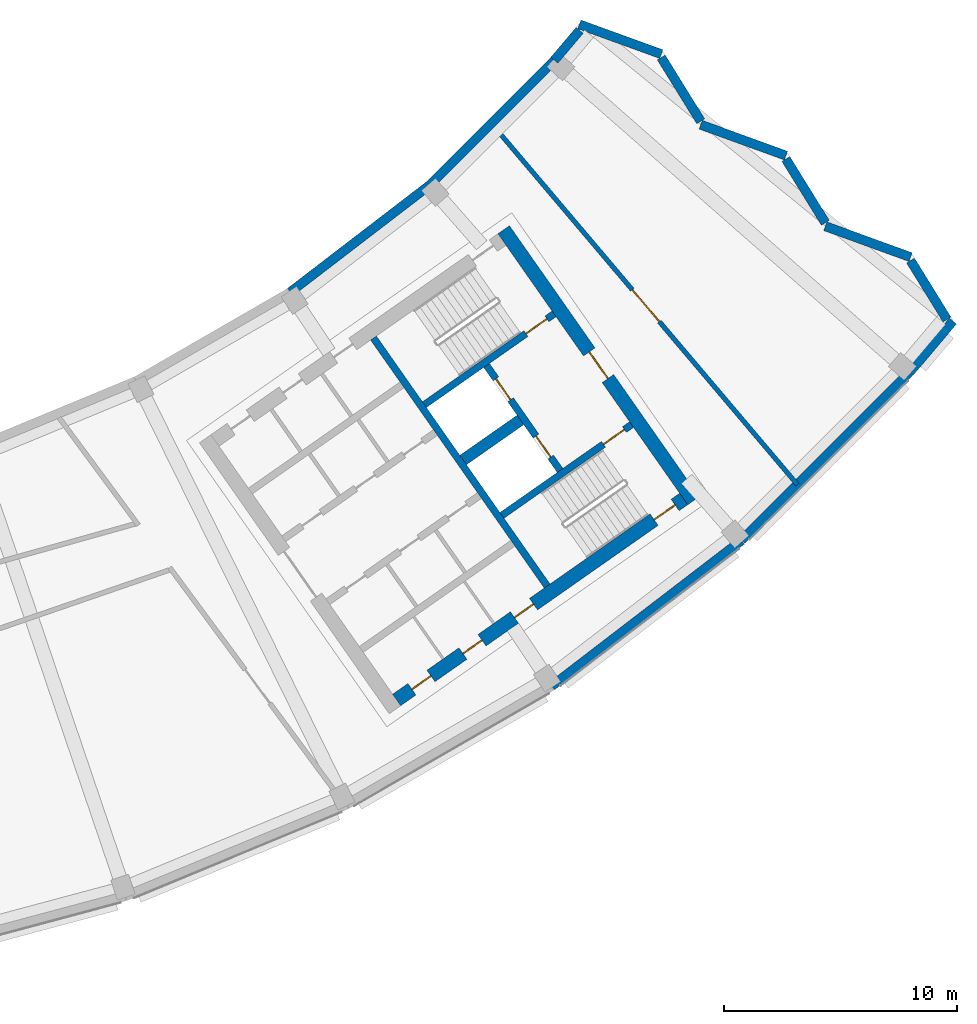
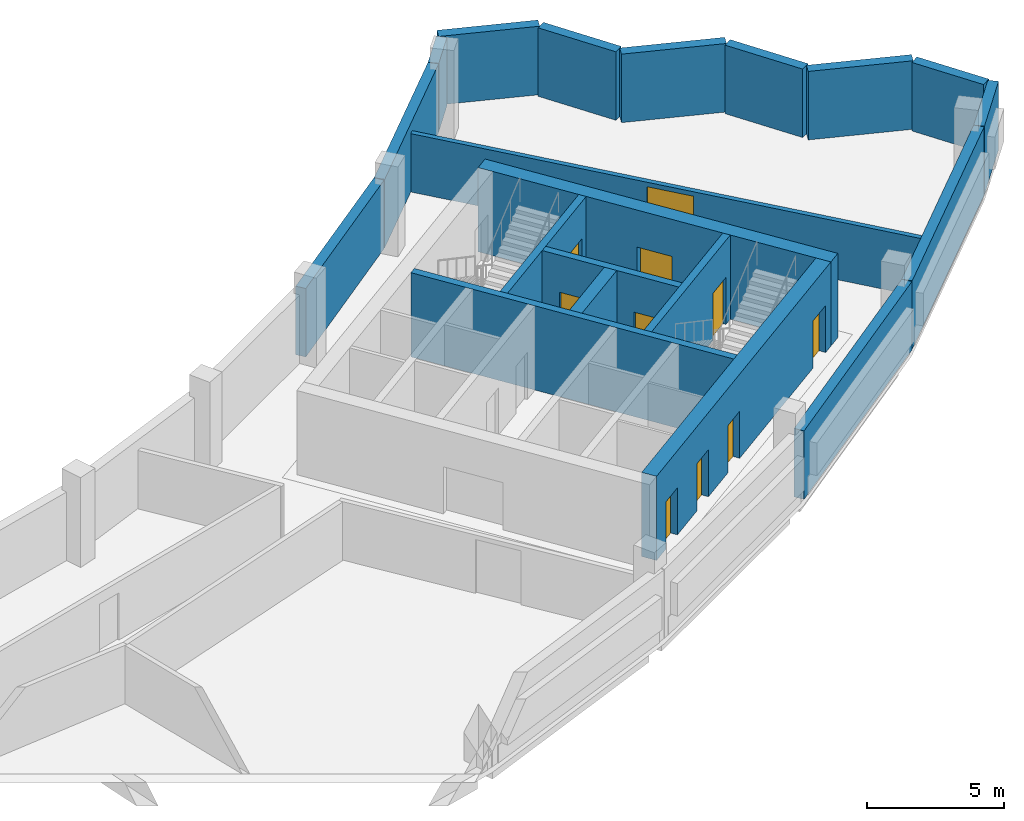
# One storey, part 6 of 11: 20 walls, 10 doors, 10 openings.
"""IFC4 building model written with IfcOpenShell, lengths in metres."""

from ifc_helpers import new_model, si_unit, direction, frame, frame_2d, origin, place, context, subcontext, project, spatial, rectangle, extrude, material, layer, layer_set, type_object, element, fill, save


model = new_model("IFC4")

# Units and contexts
model_context = context("Model", 3, precision=1e-05, world=origin(), true_north=direction((0.0, 1.0)))
body_context = subcontext(model_context, "Body", "Model", "MODEL_VIEW")
ifc_project = project(units=[si_unit("LENGTHUNIT", "METRE"), si_unit("AREAUNIT", "SQUARE_METRE"), si_unit("VOLUMEUNIT", "CUBIC_METRE"), si_unit("PLANEANGLEUNIT", "RADIAN"), si_unit("MASSUNIT", "GRAM", prefix="KILO")], contexts=[model_context])

# Site, building, storey
site_placement = place(None, origin())
site = spatial("IfcSite", under=ifc_project, at=site_placement, CompositionType="ELEMENT")
building_placement = place(site_placement, origin())
building = spatial("IfcBuilding", under=site, at=building_placement, Name="Qamariyya Broadcast Tower", CompositionType="ELEMENT")
storey_placement = place(building_placement, frame((0.0, 0.0, 298.699951171875)))
storey = spatial("IfcBuildingStorey", under=building, at=storey_placement, Name="L72", CompositionType="ELEMENT", Elevation=298.699951171875)

# Wall, opening, door
ifc_material_1 = material(Name="Concrete C60/75", Category="concrete")
ifc_layer_1 = layer(ifc_material_1, 0.60009765625)
ifc_layer_set_1 = layer_set([ifc_layer_1], Name="Core wall 600 mm Concrete C60/75")
wall_type_1 = type_object("IfcWallType", Name="Core wall 600 mm Concrete C60/75", PredefinedType="SHEAR", material=ifc_layer_set_1)
wall_1_placement = place(storey_placement, frame((49.4833984375, -57.031494140625, 0.0), z_axis=(0.0, 0.0, 1.0), x_axis=(-0.573560421458, 0.819163257805, 0.0)))
wall_1 = element("IfcWall", 1, at=wall_1_placement, inside=storey, type_object=wall_type_1, Name="k-E-L72-WH", PredefinedType="SHEAR", context=body_context, shape_type="SweptSolid", body=[
    extrude(rectangle(XDim=14.199951171875, YDim=0.60009765625, at=frame_2d((7.10009765625, 0.0))), origin(), (0.0, 0.0, 1.0), 3.75),
])
opening_1_placement = place(wall_1_placement, frame((6.39990234375, 0.0, 0.0)))
opening_1 = element("IfcOpeningElement", 2, at=opening_1_placement, cuts=wall_1, Name="Opening KD2-E1", PredefinedType="OPENING", context=body_context, shape_type="SweptSolid", body=[
    extrude(rectangle(XDim=1.39990234375, YDim=2.10009765625, at=frame_2d((0.699951171875, 1.050048828125))), frame((0.0, 0.31005859375, 0.0), z_axis=(0.0, -1.0, 0.0), x_axis=(1.0, 0.0, 0.0)), (0.0, 0.0, 1.0), 0.6201171875),
])
ifc_material_2 = material(Name="Steel fire-resisting door leaf", Category="steel")
door_type_1 = type_object("IfcDoorType", Name="Fire-fighting lobby door KD2", OperationType="DOUBLE_DOOR_SINGLE_SWING", PredefinedType="DOOR", material=ifc_material_2)
door_1_placement = place(opening_1_placement, origin())
door_1 = element("IfcDoor", 3, at=door_1_placement, inside=storey, type_object=door_type_1, Name="k-E-L72-WH-D16", OperationType="DOUBLE_DOOR_SINGLE_SWING", OverallHeight=2.10009765625, OverallWidth=1.39990234375, PredefinedType="DOOR", context=body_context, shape_type="SweptSolid", body=[
    extrude(rectangle(XDim=1.39990234375, YDim=2.10009765625, at=frame_2d((0.699951171875, 1.050048828125))), frame((0.0, 0.02490234375, 0.0), z_axis=(0.0, -1.0, 0.0), x_axis=(1.0, 0.0, 0.0)), (0.0, 0.0, 1.0), 0.050048828125),
])
fill(opening_1, door_1)

# Wall, openings, doors
wall_2_placement = place(storey_placement, frame((36.7412109375, -65.58740234375, 0.0), z_axis=(0.0, 0.0, 1.0), x_axis=(0.819153391756, 0.573574511963, 0.0)))
wall_2 = element("IfcWall", 4, at=wall_2_placement, inside=storey, type_object=wall_type_1, Name="k-E-L72-WO", PredefinedType="SHEAR", context=body_context, shape_type="SweptSolid", body=[
    extrude(rectangle(XDim=15.04541015625, YDim=0.60009765625, at=frame_2d((7.522705078125, 0.0))), origin(), (0.0, 0.0, 1.0), 3.75),
])
opening_2_placement = place(wall_2_placement, frame((0.800048828125, 0.0, 0.0)))
opening_2 = element("IfcOpeningElement", 5, at=opening_2_placement, cuts=wall_2, Name="Opening KD4-E10", PredefinedType="OPENING", context=body_context, shape_type="SweptSolid", body=[
    extrude(rectangle(XDim=1.0, YDim=2.10009765625, at=frame_2d((0.5, 1.050048828125))), frame((0.0, 0.31005859375, 0.0), z_axis=(0.0, -1.0, 0.0), x_axis=(1.0, 0.0, 0.0)), (0.0, 0.0, 1.0), 0.6201171875),
])
opening_3_placement = place(wall_2_placement, frame((3.47509765625, 0.0, 0.0)))
opening_3 = element("IfcOpeningElement", 6, at=opening_3_placement, cuts=wall_2, Name="Opening KD4-E11", PredefinedType="OPENING", context=body_context, shape_type="SweptSolid", body=[
    extrude(rectangle(XDim=1.0, YDim=2.10009765625, at=frame_2d((0.5, 1.050048828125))), frame((0.0, 0.31005859375, 0.0), z_axis=(0.0, -1.0, 0.0), x_axis=(1.0, 0.0, 0.0)), (0.0, 0.0, 1.0), 0.6201171875),
])
opening_4_placement = place(wall_2_placement, frame((6.175048828125, 0.0, 0.0)))
opening_4 = element("IfcOpeningElement", 7, at=opening_4_placement, cuts=wall_2, Name="Opening KD4-E12", PredefinedType="OPENING", context=body_context, shape_type="SweptSolid", body=[
    extrude(rectangle(XDim=1.0, YDim=2.10009765625, at=frame_2d((0.5, 1.050048828125))), frame((0.0, 0.31005859375, 0.0), z_axis=(0.0, -1.0, 0.0), x_axis=(1.0, 0.0, 0.0)), (0.0, 0.0, 1.0), 0.6201171875),
])
opening_5_placement = place(wall_2_placement, frame((13.495361328125, 0.0, 0.0)))
opening_5 = element("IfcOpeningElement", 8, at=opening_5_placement, cuts=wall_2, Name="Opening KD1-E3", PredefinedType="OPENING", context=body_context, shape_type="SweptSolid", body=[
    extrude(rectangle(XDim=1.10009765625, YDim=2.10009765625, at=frame_2d((0.550048828125, 1.050048828125))), frame((0.0, 0.31005859375, 0.0), z_axis=(0.0, -1.0, 0.0), x_axis=(1.0, 0.0, 0.0)), (0.0, 0.0, 1.0), 0.6201171875),
])
door_type_2 = type_object("IfcDoorType", Name="Riser and plant door KD4", OperationType="SINGLE_SWING_LEFT", PredefinedType="DOOR", material=ifc_material_2)
door_2_placement = place(opening_2_placement, origin())
door_2 = element("IfcDoor", 9, at=door_2_placement, inside=storey, type_object=door_type_2, Name="k-E-L72-WO-D11", OperationType="SINGLE_SWING_LEFT", OverallHeight=2.10009765625, OverallWidth=1.0, PredefinedType="DOOR", context=body_context, shape_type="SweptSolid", body=[
    extrude(rectangle(XDim=1.0, YDim=2.10009765625, at=frame_2d((0.5, 1.050048828125))), frame((0.0, 0.02490234375, 0.0), z_axis=(0.0, -1.0, 0.0), x_axis=(1.0, 0.0, 0.0)), (0.0, 0.0, 1.0), 0.050048828125),
])
fill(opening_2, door_2)
door_3_placement = place(opening_3_placement, origin())
door_3 = element("IfcDoor", 10, at=door_3_placement, inside=storey, type_object=door_type_2, Name="k-E-L72-WO-D12", OperationType="SINGLE_SWING_RIGHT", OverallHeight=2.10009765625, OverallWidth=1.0, PredefinedType="DOOR", context=body_context, shape_type="SweptSolid", body=[
    extrude(rectangle(XDim=1.0, YDim=2.10009765625, at=frame_2d((0.5, 1.050048828125))), frame((0.0, 0.02490234375, 0.0), z_axis=(0.0, -1.0, 0.0), x_axis=(1.0, 0.0, 0.0)), (0.0, 0.0, 1.0), 0.050048828125),
])
fill(opening_3, door_3)
door_4_placement = place(opening_4_placement, origin())
door_4 = element("IfcDoor", 11, at=door_4_placement, inside=storey, type_object=door_type_2, Name="k-E-L72-WO-D13", OperationType="SINGLE_SWING_LEFT", OverallHeight=2.10009765625, OverallWidth=1.0, PredefinedType="DOOR", context=body_context, shape_type="SweptSolid", body=[
    extrude(rectangle(XDim=1.0, YDim=2.10009765625, at=frame_2d((0.5, 1.050048828125))), frame((0.0, 0.02490234375, 0.0), z_axis=(0.0, -1.0, 0.0), x_axis=(1.0, 0.0, 0.0)), (0.0, 0.0, 1.0), 0.050048828125),
])
fill(opening_4, door_4)
door_type_3 = type_object("IfcDoorType", Name="Stair door KD1", OperationType="SINGLE_SWING_LEFT", PredefinedType="DOOR", material=ifc_material_2)
door_5_placement = place(opening_5_placement, origin())
door_5 = element("IfcDoor", 12, at=door_5_placement, inside=storey, type_object=door_type_3, Name="k-E-L72-WO-D19", OperationType="SINGLE_SWING_LEFT", OverallHeight=2.10009765625, OverallWidth=1.10009765625, PredefinedType="DOOR", context=body_context, shape_type="SweptSolid", body=[
    extrude(rectangle(XDim=1.10009765625, YDim=2.10009765625, at=frame_2d((0.550048828125, 1.050048828125))), frame((0.0, 0.02490234375, 0.0), z_axis=(0.0, -1.0, 0.0), x_axis=(1.0, 0.0, 0.0)), (0.0, 0.0, 1.0), 0.050048828125),
])
fill(opening_5, door_5)

# Walls
ifc_layer_2 = layer(ifc_material_1, 0.5)
ifc_layer_set_2 = layer_set([ifc_layer_2], Name="Fire-fighting lobby divider wall 500 mm Concrete C60/75")
wall_type_2 = type_object("IfcWallType", Name="Fire-fighting lobby divider wall 500 mm Concrete C60/75", PredefinedType="SOLIDWALL", material=ifc_layer_set_2)
wall_3_placement = place(storey_placement, frame((39.59912109375, -55.28515625, 0.0), z_axis=(0.0, 0.0, 1.0), x_axis=(0.819136323161, 0.573598887793, 0.0)))
element("IfcWall", 13, at=wall_3_placement, inside=storey, type_object=wall_type_2, Name="k-E-L72-FD", PredefinedType="SOLIDWALL", context=body_context, shape_type="SweptSolid", body=[
    extrude(rectangle(XDim=2.999755859375, YDim=0.5, at=frame_2d((1.5, 0.0))), origin(), (0.0, 0.0, 1.0), 3.75),
])
ifc_layer_3 = layer(ifc_material_1, 0.300048828125)
ifc_layer_set_3 = layer_set([ifc_layer_3], Name="Lift shaft wall 300 mm Concrete C60/75")
wall_type_3 = type_object("IfcWallType", Name="Lift shaft wall 300 mm Concrete C60/75", PredefinedType="SOLIDWALL", material=ifc_layer_set_3)
wall_4_placement = place(storey_placement, frame((43.204345703125, -60.69580078125, 0.0), z_axis=(0.0, 0.0, 1.0), x_axis=(-0.573571992966, 0.819155155563, 0.0)))
element("IfcWall", 14, at=wall_4_placement, inside=storey, type_object=wall_type_3, Name="k-E-L72-WL", PredefinedType="SOLIDWALL", context=body_context, shape_type="SweptSolid", body=[
    extrude(rectangle(XDim=13.000244140625, YDim=0.300048828125, at=frame_2d((6.5, 0.0))), origin(), (0.0, 0.0, 1.0), 3.75),
])

# Wall, opening, door
wall_5_placement = place(storey_placement, frame((37.935546875, -52.90966796875, 0.0), z_axis=(0.0, 0.0, 1.0), x_axis=(0.819147518138, 0.57358290031, 0.0)))
wall_5 = element("IfcWall", 15, at=wall_5_placement, inside=storey, type_object=wall_type_3, Name="k-E-L72-NW", PredefinedType="SOLIDWALL", context=body_context, shape_type="SweptSolid", body=[
    extrude(rectangle(XDim=6.79541015625, YDim=0.300048828125, at=frame_2d((3.397705078125, 0.0))), origin(), (0.0, 0.0, 1.0), 3.75),
])
opening_6_placement = place(wall_5_placement, frame((5.3203125, 0.0, 0.0)))
opening_6 = element("IfcOpeningElement", 16, at=opening_6_placement, cuts=wall_5, Name="Opening KD1-E2", PredefinedType="OPENING", context=body_context, shape_type="SweptSolid", body=[
    extrude(rectangle(XDim=1.10009765625, YDim=2.10009765625, at=frame_2d((0.550048828125, 1.050048828125))), frame((0.0, 0.159912109375, 0.0), z_axis=(0.0, -1.0, 0.0), x_axis=(1.0, 0.0, 0.0)), (0.0, 0.0, 1.0), 0.320068359375),
])
door_6_placement = place(opening_6_placement, origin())
door_6 = element("IfcDoor", 17, at=door_6_placement, inside=storey, type_object=door_type_3, Name="k-E-L72-NW-D18", OperationType="SINGLE_SWING_RIGHT", OverallHeight=2.10009765625, OverallWidth=1.10009765625, PredefinedType="DOOR", context=body_context, shape_type="SweptSolid", body=[
    extrude(rectangle(XDim=1.10009765625, YDim=2.10009765625, at=frame_2d((0.550048828125, 1.050048828125))), frame((0.0, 0.02490234375, 0.0), z_axis=(0.0, -1.0, 0.0), x_axis=(1.0, 0.0, 0.0)), (0.0, 0.0, 1.0), 0.050048828125),
])
fill(opening_6, door_6)

wall_6_placement = place(storey_placement, frame((41.262451171875, -57.66064453125, 0.0), z_axis=(0.0, 0.0, 1.0), x_axis=(0.819164398642, 0.573558792102, 0.0)))
wall_6 = element("IfcWall", 18, at=wall_6_placement, inside=storey, type_object=wall_type_3, Name="k-E-L72-SW", PredefinedType="SOLIDWALL", context=body_context, shape_type="SweptSolid", body=[
    extrude(rectangle(XDim=6.795166015625, YDim=0.300048828125, at=frame_2d((3.3974609375, 0.0))), origin(), (0.0, 0.0, 1.0), 3.75),
])
opening_7_placement = place(wall_6_placement, frame((5.3203125, 0.0, 0.0)))
opening_7 = element("IfcOpeningElement", 19, at=opening_7_placement, cuts=wall_6, Name="Opening KD1-E4", PredefinedType="OPENING", context=body_context, shape_type="SweptSolid", body=[
    extrude(rectangle(XDim=1.10009765625, YDim=2.10009765625, at=frame_2d((0.550048828125, 1.050048828125))), frame((0.0, 0.159912109375, 0.0), z_axis=(0.0, -1.0, 0.0), x_axis=(1.0, 0.0, 0.0)), (0.0, 0.0, 1.0), 0.320068359375),
])
door_7_placement = place(opening_7_placement, origin())
door_7 = element("IfcDoor", 20, at=door_7_placement, inside=storey, type_object=door_type_3, Name="k-E-L72-SW-D20", OperationType="SINGLE_SWING_RIGHT", OverallHeight=2.10009765625, OverallWidth=1.10009765625, PredefinedType="DOOR", context=body_context, shape_type="SweptSolid", body=[
    extrude(rectangle(XDim=1.10009765625, YDim=2.10009765625, at=frame_2d((0.550048828125, 1.050048828125))), frame((0.0, 0.02490234375, 0.0), z_axis=(0.0, -1.0, 0.0), x_axis=(1.0, 0.0, 0.0)), (0.0, 0.0, 1.0), 0.050048828125),
])
fill(opening_7, door_7)

# Wall, openings, doors
wall_7_placement = place(storey_placement, frame((43.756591796875, -55.731201171875, 0.0), z_axis=(0.0, 0.0, 1.0), x_axis=(-0.573536818435, 0.819179783625, 0.0)))
wall_7 = element("IfcWall", 21, at=wall_7_placement, inside=storey, type_object=wall_type_3, Name="k-E-L72-FF", PredefinedType="SOLIDWALL", context=body_context, shape_type="SweptSolid", body=[
    extrude(rectangle(XDim=5.500244140625, YDim=0.300048828125, at=frame_2d((2.75, 0.0))), origin(), (0.0, 0.0, 1.0), 3.75),
])
opening_8_placement = place(wall_7_placement, frame((0.699951171875, 0.0, 0.0)))
opening_8 = element("IfcOpeningElement", 22, at=opening_8_placement, cuts=wall_7, Name="Opening LD", PredefinedType="OPENING", context=body_context, shape_type="SweptSolid", body=[
    extrude(rectangle(XDim=1.10009765625, YDim=2.10009765625, at=frame_2d((0.550048828125, 1.050048828125))), frame((0.0, 0.159912109375, 0.0), z_axis=(0.0, -1.0, 0.0), x_axis=(1.0, 0.0, 0.0)), (0.0, 0.0, 1.0), 0.320068359375),
])
opening_9_placement = place(wall_7_placement, frame((3.699951171875, 0.0, 0.0)))
opening_9 = element("IfcOpeningElement", 23, at=opening_9_placement, cuts=wall_7, Name="Opening LD", PredefinedType="OPENING", context=body_context, shape_type="SweptSolid", body=[
    extrude(rectangle(XDim=1.10009765625, YDim=2.10009765625, at=frame_2d((0.550048828125, 1.050048828125))), frame((0.0, 0.159912109375, 0.0), z_axis=(0.0, -1.0, 0.0), x_axis=(1.0, 0.0, 0.0)), (0.0, 0.0, 1.0), 0.320068359375),
])
door_type_4 = type_object("IfcDoorType", Name="Lift landing door LD", OperationType="DOUBLE_DOOR_SLIDING", PredefinedType="DOOR", material=ifc_material_2)
door_8_placement = place(opening_8_placement, origin())
door_8 = element("IfcDoor", 24, at=door_8_placement, inside=storey, type_object=door_type_4, Name="k-E-L72-FF-D14", OperationType="DOUBLE_DOOR_SLIDING", OverallHeight=2.10009765625, OverallWidth=1.10009765625, PredefinedType="DOOR", context=body_context, shape_type="SweptSolid", body=[
    extrude(rectangle(XDim=1.10009765625, YDim=2.10009765625, at=frame_2d((0.550048828125, 1.050048828125))), frame((0.0, 0.02490234375, 0.0), z_axis=(0.0, -1.0, 0.0), x_axis=(1.0, 0.0, 0.0)), (0.0, 0.0, 1.0), 0.050048828125),
])
fill(opening_8, door_8)
door_9_placement = place(opening_9_placement, origin())
door_9 = element("IfcDoor", 25, at=door_9_placement, inside=storey, type_object=door_type_4, Name="k-E-L72-FF-D15", OperationType="DOUBLE_DOOR_SLIDING", OverallHeight=2.10009765625, OverallWidth=1.10009765625, PredefinedType="DOOR", context=body_context, shape_type="SweptSolid", body=[
    extrude(rectangle(XDim=1.10009765625, YDim=2.10009765625, at=frame_2d((0.550048828125, 1.050048828125))), frame((0.0, 0.02490234375, 0.0), z_axis=(0.0, -1.0, 0.0), x_axis=(1.0, 0.0, 0.0)), (0.0, 0.0, 1.0), 0.050048828125),
])
fill(opening_9, door_9)

# Wall, opening, door
ifc_material_3 = material(Name="Masonry block wall", Category="masonry")
ifc_layer_4 = layer(ifc_material_3, 0.199951171875)
ifc_layer_set_4 = layer_set([ifc_layer_4], Name="Plant room wall 200 EI 120")
wall_type_4 = type_object("IfcWallType", Name="Plant room wall 200 EI 120", PredefinedType="PARTITIONING", material=ifc_layer_set_4)
wall_8_placement = place(storey_placement, frame((40.93603515625, -40.982666015625, 0.0), z_axis=(0.0, 0.0, 1.0), x_axis=(0.646426079671, -0.76297662056, 0.0)))
wall_8 = element("IfcWall", 26, at=wall_8_placement, inside=storey, type_object=wall_type_4, Name="Partition L72-020", PredefinedType="PARTITIONING", context=body_context, shape_type="SweptSolid", body=[
    extrude(rectangle(XDim=20.1259765625, YDim=0.199951171875, at=frame_2d((10.06298828125, 0.0))), origin(), (0.0, 0.0, 1.0), 2.60009765625),
])
opening_10_placement = place(wall_8_placement, frame((9.1630859375, 0.0, 0.0)))
opening_10 = element("IfcOpeningElement", 27, at=opening_10_placement, cuts=wall_8, Name="Opening L72-D10", PredefinedType="OPENING", context=body_context, shape_type="SweptSolid", body=[
    extrude(rectangle(XDim=1.800048828125, YDim=2.39990234375, at=frame_2d((0.89990234375, 1.199951171875))), frame((0.0, 0.10986328125, 0.0), z_axis=(0.0, -1.0, 0.0), x_axis=(1.0, 0.0, 0.0)), (0.0, 0.0, 1.0), 0.219970703125),
])
ifc_material_4 = material(Name="Insulated metal door leaf")
door_type_5 = type_object("IfcDoorType", Name="Plant double door 1800 x 2400 FD120", OperationType="NOTDEFINED", PredefinedType="DOOR", material=ifc_material_4)
door_10_placement = place(opening_10_placement, origin())
door_10 = element("IfcDoor", 28, at=door_10_placement, inside=storey, type_object=door_type_5, Name="Door L72-D10", OperationType="DOUBLE_DOOR_SINGLE_SWING", OverallHeight=2.39990234375, OverallWidth=1.800048828125, PredefinedType="DOOR", context=body_context, shape_type="SweptSolid", body=[
    extrude(rectangle(XDim=1.800048828125, YDim=2.39990234375, at=frame_2d((0.89990234375, 1.199951171875))), frame((0.0, 0.02490234375, 0.0), z_axis=(0.0, -1.0, 0.0), x_axis=(1.0, 0.0, 0.0)), (0.0, 0.0, 1.0), 0.050048828125),
])
fill(opening_10, door_10)

# Walls
ifc_material_5 = material(Name="Terracotta", Category="masonry")
ifc_layer_5 = layer(ifc_material_5, 0.39990234375)
ifc_layer_set_5 = layer_set([ifc_layer_5], Name="Solid terracotta louvred band wall 400")
wall_type_5 = type_object("IfcWallType", Name="Solid terracotta louvred band wall 400", PredefinedType="SOLIDWALL", material=ifc_layer_set_5)
wall_9_placement = place(storey_placement, frame((60.36962890625, -49.252685546875, 0.0), z_axis=(0.0, 0.0, 1.0), x_axis=(-0.525538284274, 0.850769952315, 0.0)))
element("IfcWall", 29, at=wall_9_placement, inside=storey, type_object=wall_type_5, Name="e-wl-L72-capE0", PredefinedType="SOLIDWALL", context=body_context, shape_type="SweptSolid", body=[
    extrude(rectangle(XDim=2.976318359375, YDim=0.39990234375, at=frame_2d((1.48828125, 0.0))), origin(), (0.0, 0.0, 1.0), 3.050048828125),
])
wall_10_placement = place(storey_placement, frame((58.806396484375, -46.57421875, 0.0), z_axis=(0.0, 0.0, 1.0), x_axis=(-0.940075029039, 0.340967652099, 0.0)))
element("IfcWall", 30, at=wall_10_placement, inside=storey, type_object=wall_type_5, Name="e-wl-L72-capE1", PredefinedType="SOLIDWALL", context=body_context, shape_type="SweptSolid", body=[
    extrude(rectangle(XDim=3.893798828125, YDim=0.39990234375, at=frame_2d((1.94677734375, 0.0))), origin(), (0.0, 0.0, 1.0), 3.050048828125),
])
wall_11_placement = place(storey_placement, frame((55.14697265625, -45.1005859375, 0.0), z_axis=(0.0, 0.0, 1.0), x_axis=(-0.525649491409, 0.850701247314, 0.0)))
element("IfcWall", 31, at=wall_11_placement, inside=storey, type_object=wall_type_5, Name="e-wl-L72-capE2", PredefinedType="SOLIDWALL", context=body_context, shape_type="SweptSolid", body=[
    extrude(rectangle(XDim=3.21923828125, YDim=0.39990234375, at=frame_2d((1.609619140625, 0.0))), origin(), (0.0, 0.0, 1.0), 3.050048828125),
])
wall_12_placement = place(storey_placement, frame((53.455810546875, -42.216064453125, 0.0), z_axis=(0.0, 0.0, 1.0), x_axis=(-0.940086069154, 0.340937212083, 0.0)))
element("IfcWall", 32, at=wall_12_placement, inside=storey, type_object=wall_type_5, Name="e-wl-L72-capE3", PredefinedType="SOLIDWALL", context=body_context, shape_type="SweptSolid", body=[
    extrude(rectangle(XDim=3.892578125, YDim=0.39990234375, at=frame_2d((1.9462890625, 0.0))), origin(), (0.0, 0.0, 1.0), 3.050048828125),
])
wall_13_placement = place(storey_placement, frame((49.797119140625, -40.742919921875, 0.0), z_axis=(0.0, 0.0, 1.0), x_axis=(-0.525678481137, 0.850683333838, 0.0)))
element("IfcWall", 33, at=wall_13_placement, inside=storey, type_object=wall_type_5, Name="e-wl-L72-capE4", PredefinedType="SOLIDWALL", context=body_context, shape_type="SweptSolid", body=[
    extrude(rectangle(XDim=3.220458984375, YDim=0.39990234375, at=frame_2d((1.6103515625, 0.0))), origin(), (0.0, 0.0, 1.0), 3.050048828125),
])
wall_14_placement = place(storey_placement, frame((48.105224609375, -37.857421875, 0.0), z_axis=(0.0, 0.0, 1.0), x_axis=(-0.940130056589, 0.340815898541, 0.0)))
element("IfcWall", 34, at=wall_14_placement, inside=storey, type_object=wall_type_5, Name="e-wl-L72-capE5", PredefinedType="SOLIDWALL", context=body_context, shape_type="SweptSolid", body=[
    extrude(rectangle(XDim=3.742919921875, YDim=0.39990234375, at=frame_2d((1.87158203125, 0.0))), origin(), (0.0, 0.0, 1.0), 3.050048828125),
])
wall_15_placement = place(storey_placement, frame((38.103271484375, -43.525146484375, 0.0), z_axis=(0.0, 0.0, 1.0), x_axis=(-0.793355236357, -0.608758957999, 0.0)))
element("IfcWall", 35, at=wall_15_placement, inside=storey, type_object=wall_type_5, Name="e-wl-L72-in120", PredefinedType="SOLIDWALL", context=body_context, shape_type="SweptSolid", body=[
    extrude(rectangle(XDim=7.4658203125, YDim=0.39990234375, at=frame_2d((3.73291015625, 0.0))), origin(), (0.0, 0.0, 1.0), 3.050048828125),
])
wall_16_placement = place(storey_placement, frame((43.50146484375, -38.13623046875, 0.0), z_axis=(0.0, 0.0, 1.0), x_axis=(-0.707106781187, -0.707106781187, 0.0)))
element("IfcWall", 36, at=wall_16_placement, inside=storey, type_object=wall_type_5, Name="e-wl-L72-in130", PredefinedType="SOLIDWALL", context=body_context, shape_type="SweptSolid", body=[
    extrude(rectangle(XDim=7.6025390625, YDim=0.39990234375, at=frame_2d((3.80126953125, 0.0))), origin(), (0.0, 0.0, 1.0), 3.050048828125),
])
wall_17_placement = place(storey_placement, frame((44.59814453125, -36.8369140625, 0.0), z_axis=(0.0, 0.0, 1.0), x_axis=(-0.645545650865, -0.763721685334, 0.0)))
element("IfcWall", 37, at=wall_17_placement, inside=storey, type_object=wall_type_5, Name="e-wl-L72-in140", PredefinedType="SOLIDWALL", context=body_context, shape_type="SweptSolid", body=[
    extrude(rectangle(XDim=1.68359375, YDim=0.39990234375, at=frame_2d((0.841796875, 0.0))), origin(), (0.0, 0.0, 1.0), 3.050048828125),
])
wall_18_placement = place(storey_placement, frame((43.397705078125, -64.994140625, 0.0), z_axis=(0.0, 0.0, 1.0), x_axis=(0.793354972355, 0.608759302055, 0.0)))
element("IfcWall", 38, at=wall_18_placement, inside=storey, type_object=wall_type_5, Name="e-wl-L72-out120", PredefinedType="SOLIDWALL", context=body_context, shape_type="SweptSolid", body=[
    extrude(rectangle(XDim=10.2724609375, YDim=0.39990234375, at=frame_2d((5.13623046875, 0.0))), origin(), (0.0, 0.0, 1.0), 3.050048828125),
])
wall_19_placement = place(storey_placement, frame((51.5634765625, -58.719970703125, 0.0), z_axis=(0.0, 0.0, 1.0), x_axis=(0.707118813872, 0.707094748296, 0.0)))
element("IfcWall", 39, at=wall_19_placement, inside=storey, type_object=wall_type_5, Name="e-wl-L72-out130", PredefinedType="SOLIDWALL", context=body_context, shape_type="SweptSolid", body=[
    extrude(rectangle(XDim=10.144775390625, YDim=0.39990234375, at=frame_2d((5.072265625, 0.0))), origin(), (0.0, 0.0, 1.0), 3.050048828125),
])
wall_20_placement = place(storey_placement, frame((58.74951171875, -51.53564453125, 0.0), z_axis=(0.0, 0.0, 1.0), x_axis=(0.6455801385, 0.763692532878, 0.0)))
element("IfcWall", 40, at=wall_20_placement, inside=storey, type_object=wall_type_5, Name="e-wl-L72-out140", PredefinedType="SOLIDWALL", context=body_context, shape_type="SweptSolid", body=[
    extrude(rectangle(XDim=2.902099609375, YDim=0.39990234375, at=frame_2d((1.451171875, 0.0))), origin(), (0.0, 0.0, 1.0), 3.050048828125),
])

save(model, "model.ifc")
